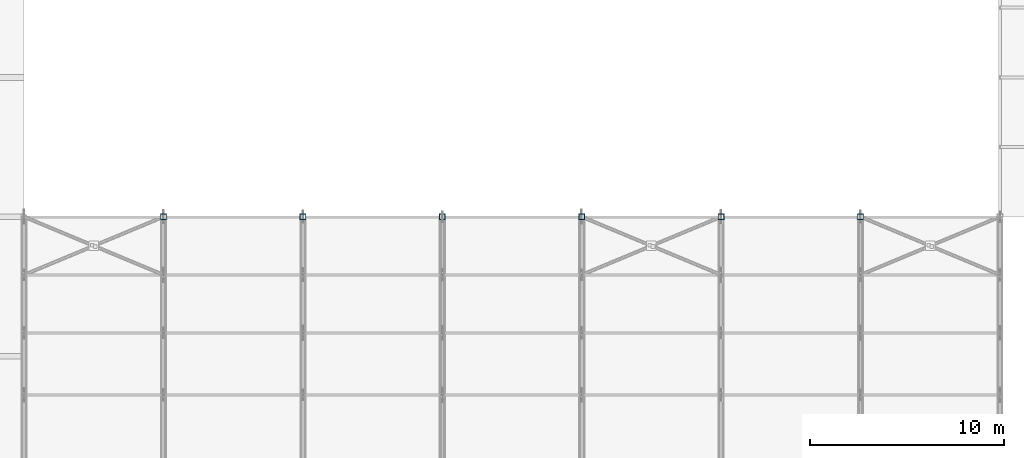
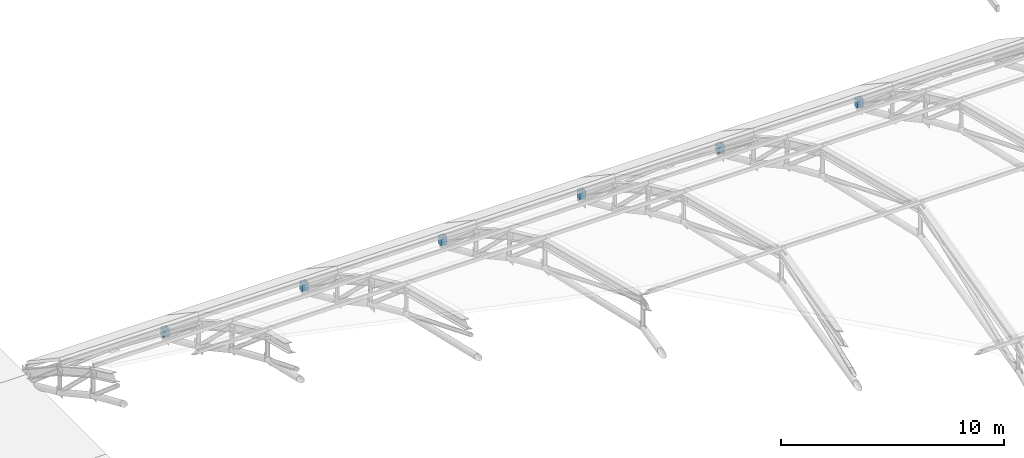
# One storey, part 5 of 63: 6 columns.
"""IFC4 building model written with IfcOpenShell, lengths in metres."""

from ifc_helpers import new_model, si_unit, direction, frame, origin, origin_2d, place, context, subcontext, project, spatial, hollow_rectangle, extrude, material, material_profile, profile_set, type_object, element, save


model = new_model("IFC4")

# Units and contexts
model_context = context("Model", 3, precision=1e-05, world=origin(), true_north=direction((0.0, 1.0)))
body_context = subcontext(model_context, "Body", "Model", "MODEL_VIEW")
ifc_project = project(units=[si_unit("LENGTHUNIT", "METRE"), si_unit("AREAUNIT", "SQUARE_METRE"), si_unit("VOLUMEUNIT", "CUBIC_METRE"), si_unit("PLANEANGLEUNIT", "RADIAN"), si_unit("MASSUNIT", "GRAM", prefix="KILO")], contexts=[model_context])

# Site, building, storey
site_placement = place(None, origin())
site = spatial("IfcSite", under=ifc_project, at=site_placement, CompositionType="ELEMENT")
building_placement = place(site_placement, origin())
building = spatial("IfcBuilding", under=site, at=building_placement, Name="Solvadek Multi-Sports Hall", CompositionType="ELEMENT")
storey_placement = place(building_placement, frame((0.0, 0.0, 19.199951171875)))
storey = spatial("IfcBuildingStorey", under=building, at=storey_placement, Name="RF", CompositionType="ELEMENT", Elevation=19.199951171875)

# Columns
ifc_material = material(Name="Steel E350 (350 MPa)", Category="steel")
ifc_material_profile = material_profile(ifc_material, hollow_rectangle(XDim=0.300048828125, YDim=0.300048828125, WallThickness=0.012451171875, at=origin_2d()), Name="SHS 300x300x12.5")
ifc_profile_set = profile_set([ifc_material_profile], Name="Steel E350 (350 MPa)")
column_type = type_object("IfcColumnType", Name="STR-COL-SHS300", PredefinedType="COLUMN", material=ifc_profile_set)
for number, where, z_axis, x_axis, name in (
    (1, (93.60009765625, 42.0, -4.0), (0.0, 0.0, 1.0), (1.0, 0.0, 0.0), "v1 Truss 2 Bearing Post"),
    (2, (100.800048828125, 42.0, -4.0), (0.0, 0.0, 1.0), (1.0, 0.0, 0.0), "v1 Truss 3 Bearing Post"),
    (3, (108.0, 42.0, -4.0), (0.0, 0.0, 1.0), (1.0, 0.0, 0.0), "v1 Truss 4 Bearing Post"),
    (4, (115.199951171875, 42.0, -4.0), (0.0, 0.0, 1.0), (1.0, 0.0, 0.0), "v1 Truss 5 Bearing Post"),
    (5, (122.39990234375, 42.0, -4.0), (0.0, 0.0, 1.0), (1.0, 0.0, 0.0), "v1 Truss 6 Bearing Post"),
    (6, (129.60009765625, 42.0, -4.0), (0.0, 0.0, 1.0), (1.0, 0.0, 0.0), "v1 Truss 7 Bearing Post"),
):
    element("IfcColumn", number, at=place(storey_placement, frame(where, z_axis=z_axis, x_axis=x_axis)), inside=storey, type_object=column_type, Name=name, PredefinedType="COLUMN", context=body_context, shape_type="SweptSolid", body=[
        extrude(hollow_rectangle(XDim=0.300048828125, YDim=0.300048828125, WallThickness=0.012451171875, at=origin_2d()), origin(), (0.0, 0.0, 1.0), 0.449951171875),
    ])

save(model, "model.ifc")
